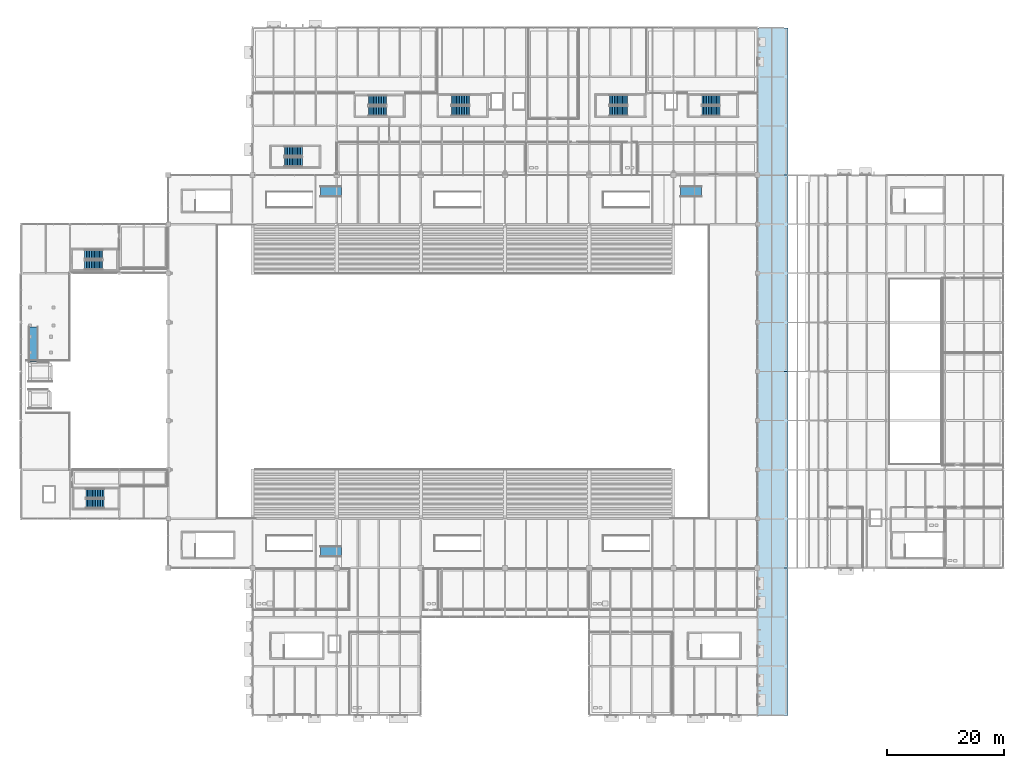
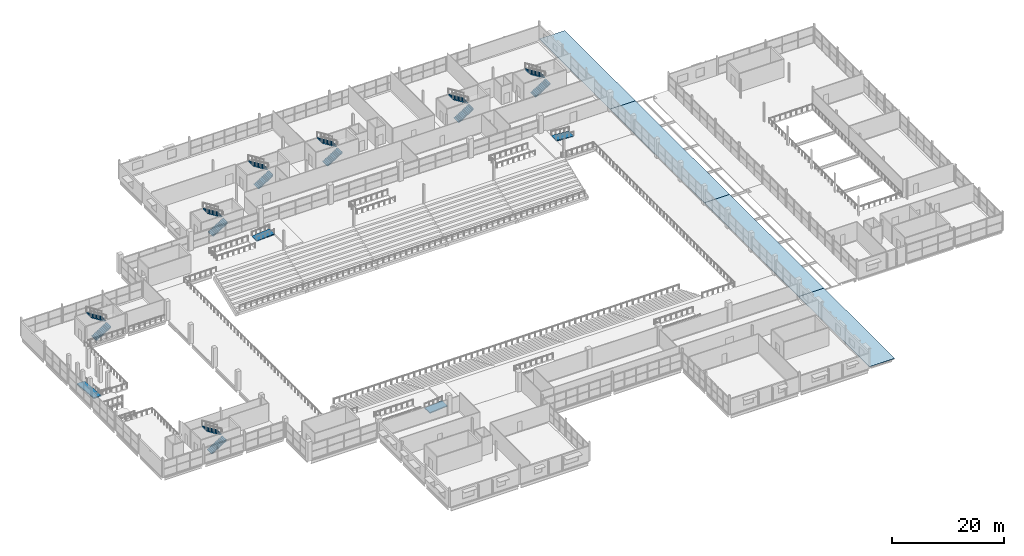
# One storey, part 141 of 161: 14 stair flights, 4 ramp flights, 4 roofs, 11 elements without a shape of their own.
"""IFC4 building model written with IfcOpenShell, lengths in metres."""

from ifc_helpers import new_model, si_unit, direction, frame, origin, place, context, subcontext, project, spatial, polyline, outline, extrude, material, layer, layer_set, type_object, element, aggregate, save


model = new_model("IFC4")

# Units and contexts
model_context = context("Model", 3, precision=1e-05, world=origin(), true_north=direction((0.0, 1.0)))
body_context = subcontext(model_context, "Body", "Model", "MODEL_VIEW")
ifc_project = project(units=[si_unit("LENGTHUNIT", "METRE"), si_unit("AREAUNIT", "SQUARE_METRE"), si_unit("VOLUMEUNIT", "CUBIC_METRE"), si_unit("PLANEANGLEUNIT", "RADIAN"), si_unit("MASSUNIT", "GRAM", prefix="KILO"), si_unit("THERMODYNAMICTEMPERATUREUNIT", "KELVIN")], contexts=[model_context])

# Site, building, storey
site_placement = place(None, origin())
site = spatial("IfcSite", under=ifc_project, at=site_placement, CompositionType="ELEMENT")
building_placement = place(site_placement, origin())
building = spatial("IfcBuilding", under=site, at=building_placement, Name="Nduvali Passage Aquatics Centre", CompositionType="ELEMENT")
storey_placement = place(building_placement, frame((0.0, 0.0, 4.800048828125)))
storey = spatial("IfcBuildingStorey", under=building, at=storey_placement, Name="L01", CompositionType="ELEMENT", Elevation=4.800048828125)

# Stair, stair flights
ifc_material = material(Name="Concrete C40/50", Category="concrete")
stair_type_1 = type_object("IfcStairType", Name="INT-STR-CORE160", PredefinedType="HALF_TURN_STAIR", material=ifc_material)
stair_1_placement = place(storey_placement, origin())
stair_1 = element("IfcStair", 1, at=stair_1_placement, inside=storey, type_object=stair_type_1, Name="L01 ST9", PredefinedType="HALF_TURN_STAIR")
stair_flight_type_1 = type_object("IfcStairFlightType", Name="INT-FLT-160", PredefinedType="STRAIGHT", material=ifc_material)
stair_flight_1_placement = place(storey_placement, frame((11.10009765625, 36.199951171875, 0.0), z_axis=(0.0, 0.0, 1.0), x_axis=(1.0, 0.0, 0.0)))
stair_flight_1 = element("IfcStairFlight", 2, at=stair_flight_1_placement, type_object=stair_flight_type_1, Name="ST9 flight 1", NumberOfRisers=12, NumberOfTreads=11, PredefinedType="STRAIGHT", RiserHeight=0.175, TreadLength=0.28, context=body_context, shape_type="SweptSolid", body=[
    extrude(outline(polyline([(0.0, 0.0), (0.0, 0.175048828125), (0.280029296875, 0.175048828125), (0.280029296875, 0.35009765625), (0.56005859375, 0.35009765625), (0.56005859375, 0.52490234375), (0.840087890625, 0.52490234375), (0.840087890625, 0.699951171875), (1.1201171875, 0.699951171875), (1.1201171875, 0.875), (1.39990234375, 0.875), (1.39990234375, 1.050048828125), (1.679931640625, 1.050048828125), (1.679931640625, 1.22509765625), (1.9599609375, 1.22509765625), (1.9599609375, 1.39990234375), (2.239990234375, 1.39990234375), (2.239990234375, 1.574951171875), (2.52001953125, 1.574951171875), (2.52001953125, 1.75), (2.800048828125, 1.75), (2.800048828125, 1.925048828125), (3.080078125, 1.925048828125), (3.080078125, 2.10009765625), (3.080810546875, 2.10009765625), (3.080810546875, 1.89990234375), (3.080078125, 1.748291015625), (0.28271484375, 0.0), (0.0, 0.0)])), frame((0.0, 0.800048828125, 0.0), z_axis=(0.0, -1.0, 0.0), x_axis=(1.0, 0.0, 0.0)), (0.0, 0.0, 1.0), 1.60009765625),
])
stair_flight_2_placement = place(storey_placement, frame((14.179931640625, 37.949951171875, 2.099853515625), z_axis=(0.0, 0.0, 1.0), x_axis=(-1.0, 0.0, 0.0)))
stair_flight_2 = element("IfcStairFlight", 3, at=stair_flight_2_placement, type_object=stair_flight_type_1, Name="ST9 flight 2", NumberOfRisers=12, NumberOfTreads=11, PredefinedType="STRAIGHT", RiserHeight=0.175, TreadLength=0.28, context=body_context, shape_type="SweptSolid", body=[
    extrude(outline(polyline([(0.0, 0.0), (0.0, 0.175048828125), (0.280029296875, 0.175048828125), (0.280029296875, 0.35009765625), (0.56005859375, 0.35009765625), (0.56005859375, 0.52490234375), (0.840087890625, 0.52490234375), (0.840087890625, 0.699951171875), (1.1201171875, 0.699951171875), (1.1201171875, 0.875), (1.39990234375, 0.875), (1.39990234375, 1.050048828125), (1.679931640625, 1.050048828125), (1.679931640625, 1.22509765625), (1.9599609375, 1.22509765625), (1.9599609375, 1.39990234375), (2.239990234375, 1.39990234375), (2.239990234375, 1.574951171875), (2.52001953125, 1.574951171875), (2.52001953125, 1.75), (2.800048828125, 1.75), (2.800048828125, 1.925048828125), (3.080078125, 1.925048828125), (3.080078125, 2.10009765625), (3.080810546875, 2.10009765625), (3.080810546875, 1.89990234375), (3.080078125, 1.748291015625), (0.28271484375, 0.0), (0.0, 0.0)])), frame((0.0, 0.800048828125, 0.0), z_axis=(0.0, -1.0, 0.0), x_axis=(1.0, 0.0, 0.0)), (0.0, 0.0, 1.0), 1.60009765625),
])
aggregate(stair_1, [stair_flight_1, stair_flight_2])

stair_type_2 = type_object("IfcStairType", Name="INT-STR-CORE164", PredefinedType="HALF_TURN_STAIR", material=ifc_material)
stair_2_placement = place(storey_placement, origin())
stair_2 = element("IfcStair", 4, at=stair_2_placement, inside=storey, type_object=stair_type_2, Name="L01 ST12", PredefinedType="HALF_TURN_STAIR")
stair_flight_type_2 = type_object("IfcStairFlightType", Name="INT-FLT-164", PredefinedType="STRAIGHT", material=ifc_material)
stair_flight_3_placement = place(storey_placement, frame((10.89990234375, 77.02001953125, 0.0), z_axis=(0.0, 0.0, 1.0), x_axis=(1.0, 0.0, 0.0)))
stair_flight_3 = element("IfcStairFlight", 5, at=stair_flight_3_placement, type_object=stair_flight_type_2, Name="ST12 flight 1", NumberOfRisers=12, NumberOfTreads=11, PredefinedType="STRAIGHT", RiserHeight=0.175, TreadLength=0.28, context=body_context, shape_type="SweptSolid", body=[
    extrude(outline(polyline([(0.0, 0.0), (0.0, 0.175048828125), (0.280029296875, 0.175048828125), (0.280029296875, 0.35009765625), (0.56005859375, 0.35009765625), (0.56005859375, 0.52490234375), (0.840087890625, 0.52490234375), (0.840087890625, 0.699951171875), (1.1201171875, 0.699951171875), (1.1201171875, 0.875), (1.39990234375, 0.875), (1.39990234375, 1.050048828125), (1.679931640625, 1.050048828125), (1.679931640625, 1.22509765625), (1.9599609375, 1.22509765625), (1.9599609375, 1.39990234375), (2.239990234375, 1.39990234375), (2.239990234375, 1.574951171875), (2.52001953125, 1.574951171875), (2.52001953125, 1.75), (2.800048828125, 1.75), (2.800048828125, 1.925048828125), (3.080078125, 1.925048828125), (3.080078125, 2.10009765625), (3.080810546875, 2.10009765625), (3.080810546875, 1.89990234375), (3.080078125, 1.748291015625), (0.28271484375, 0.0), (0.0, 0.0)])), frame((0.0, 0.81982421875, 0.0), z_axis=(0.0, -1.0, 0.0), x_axis=(1.0, 0.0, 0.0)), (0.0, 0.0, 1.0), 1.639892578125),
])
stair_flight_4_placement = place(storey_placement, frame((13.97998046875, 78.81005859375, 2.099853515625), z_axis=(0.0, 0.0, 1.0), x_axis=(-1.0, 0.0, 0.0)))
stair_flight_4 = element("IfcStairFlight", 6, at=stair_flight_4_placement, type_object=stair_flight_type_2, Name="ST12 flight 2", NumberOfRisers=12, NumberOfTreads=11, PredefinedType="STRAIGHT", RiserHeight=0.175, TreadLength=0.28, context=body_context, shape_type="SweptSolid", body=[
    extrude(outline(polyline([(0.0, 0.0), (0.0, 0.175048828125), (0.280029296875, 0.175048828125), (0.280029296875, 0.35009765625), (0.56005859375, 0.35009765625), (0.56005859375, 0.52490234375), (0.840087890625, 0.52490234375), (0.840087890625, 0.699951171875), (1.1201171875, 0.699951171875), (1.1201171875, 0.875), (1.39990234375, 0.875), (1.39990234375, 1.050048828125), (1.679931640625, 1.050048828125), (1.679931640625, 1.22509765625), (1.9599609375, 1.22509765625), (1.9599609375, 1.39990234375), (2.239990234375, 1.39990234375), (2.239990234375, 1.574951171875), (2.52001953125, 1.574951171875), (2.52001953125, 1.75), (2.800048828125, 1.75), (2.800048828125, 1.925048828125), (3.080078125, 1.925048828125), (3.080078125, 2.10009765625), (3.080810546875, 2.10009765625), (3.080810546875, 1.89990234375), (3.080078125, 1.748291015625), (0.28271484375, 0.0), (0.0, 0.0)])), frame((0.0, 0.81982421875, 0.0), z_axis=(0.0, -1.0, 0.0), x_axis=(1.0, 0.0, 0.0)), (0.0, 0.0, 1.0), 1.639892578125),
])
aggregate(stair_2, [stair_flight_3, stair_flight_4])

stair_type_3 = type_object("IfcStairType", Name="INT-STR-CORE168", PredefinedType="HALF_TURN_STAIR", material=ifc_material)
stair_3_placement = place(storey_placement, origin())
stair_3 = element("IfcStair", 7, at=stair_3_placement, inside=storey, type_object=stair_type_3, Name="L01 ST3", PredefinedType="HALF_TURN_STAIR")
stair_flight_type_3 = type_object("IfcStairFlightType", Name="INT-FLT-168", PredefinedType="STRAIGHT", material=ifc_material)
stair_flight_5_placement = place(storey_placement, frame((59.449951171875, 103.340087890625, 0.0), z_axis=(0.0, 0.0, 1.0), x_axis=(1.0, 0.0, 0.0)))
stair_flight_5 = element("IfcStairFlight", 8, at=stair_flight_5_placement, type_object=stair_flight_type_3, Name="ST3 flight 1", NumberOfRisers=12, NumberOfTreads=11, PredefinedType="STRAIGHT", RiserHeight=0.175, TreadLength=0.28, context=body_context, shape_type="SweptSolid", body=[
    extrude(outline(polyline([(0.0, 0.0), (0.0, 0.175048828125), (0.280029296875, 0.175048828125), (0.280029296875, 0.35009765625), (0.56005859375, 0.35009765625), (0.56005859375, 0.52490234375), (0.840087890625, 0.52490234375), (0.840087890625, 0.699951171875), (1.1201171875, 0.699951171875), (1.1201171875, 0.875), (1.39990234375, 0.875), (1.39990234375, 1.050048828125), (1.679931640625, 1.050048828125), (1.679931640625, 1.22509765625), (1.9599609375, 1.22509765625), (1.9599609375, 1.39990234375), (2.239990234375, 1.39990234375), (2.239990234375, 1.574951171875), (2.52001953125, 1.574951171875), (2.52001953125, 1.75), (2.800048828125, 1.75), (2.800048828125, 1.925048828125), (3.080078125, 1.925048828125), (3.080078125, 2.10009765625), (3.080810546875, 2.10009765625), (3.080810546875, 1.89990234375), (3.080078125, 1.748291015625), (0.28271484375, 0.0), (0.0, 0.0)])), frame((0.0, 0.83984375, 0.0), z_axis=(0.0, -1.0, 0.0), x_axis=(1.0, 0.0, 0.0)), (0.0, 0.0, 1.0), 1.679931640625),
])
stair_flight_6_placement = place(storey_placement, frame((62.530029296875, 105.169921875, 2.099853515625), z_axis=(0.0, 0.0, 1.0), x_axis=(-1.0, 0.0, 0.0)))
stair_flight_6 = element("IfcStairFlight", 9, at=stair_flight_6_placement, type_object=stair_flight_type_3, Name="ST3 flight 2", NumberOfRisers=12, NumberOfTreads=11, PredefinedType="STRAIGHT", RiserHeight=0.175, TreadLength=0.28, context=body_context, shape_type="SweptSolid", body=[
    extrude(outline(polyline([(0.0, 0.0), (0.0, 0.175048828125), (0.280029296875, 0.175048828125), (0.280029296875, 0.35009765625), (0.56005859375, 0.35009765625), (0.56005859375, 0.52490234375), (0.840087890625, 0.52490234375), (0.840087890625, 0.699951171875), (1.1201171875, 0.699951171875), (1.1201171875, 0.875), (1.39990234375, 0.875), (1.39990234375, 1.050048828125), (1.679931640625, 1.050048828125), (1.679931640625, 1.22509765625), (1.9599609375, 1.22509765625), (1.9599609375, 1.39990234375), (2.239990234375, 1.39990234375), (2.239990234375, 1.574951171875), (2.52001953125, 1.574951171875), (2.52001953125, 1.75), (2.800048828125, 1.75), (2.800048828125, 1.925048828125), (3.080078125, 1.925048828125), (3.080078125, 2.10009765625), (3.080810546875, 2.10009765625), (3.080810546875, 1.89990234375), (3.080078125, 1.748291015625), (0.28271484375, 0.0), (0.0, 0.0)])), frame((0.0, 0.83984375, 0.0), z_axis=(0.0, -1.0, 0.0), x_axis=(1.0, 0.0, 0.0)), (0.0, 0.0, 1.0), 1.679931640625),
])
aggregate(stair_3, [stair_flight_5, stair_flight_6])

stair_4_placement = place(storey_placement, origin())
stair_4 = element("IfcStair", 10, at=stair_4_placement, inside=storey, type_object=stair_type_3, Name="L01 ST4", PredefinedType="HALF_TURN_STAIR")
stair_flight_7_placement = place(storey_placement, frame((45.050048828125, 94.639892578125, 0.0), z_axis=(0.0, 0.0, 1.0), x_axis=(1.0, 0.0, 0.0)))
stair_flight_7 = element("IfcStairFlight", 11, at=stair_flight_7_placement, type_object=stair_flight_type_3, Name="ST4 flight 1", NumberOfRisers=12, NumberOfTreads=11, PredefinedType="STRAIGHT", RiserHeight=0.175, TreadLength=0.28, context=body_context, shape_type="SweptSolid", body=[
    extrude(outline(polyline([(0.0, 0.0), (0.0, 0.175048828125), (0.280029296875, 0.175048828125), (0.280029296875, 0.35009765625), (0.56005859375, 0.35009765625), (0.56005859375, 0.52490234375), (0.840087890625, 0.52490234375), (0.840087890625, 0.699951171875), (1.1201171875, 0.699951171875), (1.1201171875, 0.875), (1.39990234375, 0.875), (1.39990234375, 1.050048828125), (1.679931640625, 1.050048828125), (1.679931640625, 1.22509765625), (1.9599609375, 1.22509765625), (1.9599609375, 1.39990234375), (2.239990234375, 1.39990234375), (2.239990234375, 1.574951171875), (2.52001953125, 1.574951171875), (2.52001953125, 1.75), (2.800048828125, 1.75), (2.800048828125, 1.925048828125), (3.080078125, 1.925048828125), (3.080078125, 2.10009765625), (3.080810546875, 2.10009765625), (3.080810546875, 1.89990234375), (3.080078125, 1.748291015625), (0.28271484375, 0.0), (0.0, 0.0)])), frame((0.0, 0.83984375, 0.0), z_axis=(0.0, -1.0, 0.0), x_axis=(1.0, 0.0, 0.0)), (0.0, 0.0, 1.0), 1.679931640625),
])
stair_flight_8_placement = place(storey_placement, frame((48.1298828125, 96.469970703125, 2.099853515625), z_axis=(0.0, 0.0, 1.0), x_axis=(-1.0, 0.0, 0.0)))
stair_flight_8 = element("IfcStairFlight", 12, at=stair_flight_8_placement, type_object=stair_flight_type_3, Name="ST4 flight 2", NumberOfRisers=12, NumberOfTreads=11, PredefinedType="STRAIGHT", RiserHeight=0.175, TreadLength=0.28, context=body_context, shape_type="SweptSolid", body=[
    extrude(outline(polyline([(0.0, 0.0), (0.0, 0.175048828125), (0.280029296875, 0.175048828125), (0.280029296875, 0.35009765625), (0.56005859375, 0.35009765625), (0.56005859375, 0.52490234375), (0.840087890625, 0.52490234375), (0.840087890625, 0.699951171875), (1.1201171875, 0.699951171875), (1.1201171875, 0.875), (1.39990234375, 0.875), (1.39990234375, 1.050048828125), (1.679931640625, 1.050048828125), (1.679931640625, 1.22509765625), (1.9599609375, 1.22509765625), (1.9599609375, 1.39990234375), (2.239990234375, 1.39990234375), (2.239990234375, 1.574951171875), (2.52001953125, 1.574951171875), (2.52001953125, 1.75), (2.800048828125, 1.75), (2.800048828125, 1.925048828125), (3.080078125, 1.925048828125), (3.080078125, 2.10009765625), (3.080810546875, 2.10009765625), (3.080810546875, 1.89990234375), (3.080078125, 1.748291015625), (0.28271484375, 0.0), (0.0, 0.0)])), frame((0.0, 0.83984375, 0.0), z_axis=(0.0, -1.0, 0.0), x_axis=(1.0, 0.0, 0.0)), (0.0, 0.0, 1.0), 1.679931640625),
])
aggregate(stair_4, [stair_flight_7, stair_flight_8])

stair_type_4 = type_object("IfcStairType", Name="INT-STR-CORE172", PredefinedType="HALF_TURN_STAIR", material=ifc_material)
stair_5_placement = place(storey_placement, origin())
stair_5 = element("IfcStair", 13, at=stair_5_placement, inside=storey, type_object=stair_type_4, Name="L01 ST1", PredefinedType="HALF_TURN_STAIR")
stair_flight_type_4 = type_object("IfcStairFlightType", Name="INT-FLT-172", PredefinedType="STRAIGHT", material=ifc_material)
stair_flight_9_placement = place(storey_placement, frame((73.64990234375, 103.360107421875, 0.0), z_axis=(0.0, 0.0, 1.0), x_axis=(1.0, 0.0, 0.0)))
stair_flight_9 = element("IfcStairFlight", 14, at=stair_flight_9_placement, type_object=stair_flight_type_4, Name="ST1 flight 1", NumberOfRisers=12, NumberOfTreads=11, PredefinedType="STRAIGHT", RiserHeight=0.175, TreadLength=0.28, context=body_context, shape_type="SweptSolid", body=[
    extrude(outline(polyline([(0.0, 0.0), (0.0, 0.175048828125), (0.280029296875, 0.175048828125), (0.280029296875, 0.35009765625), (0.56005859375, 0.35009765625), (0.56005859375, 0.52490234375), (0.840087890625, 0.52490234375), (0.840087890625, 0.699951171875), (1.1201171875, 0.699951171875), (1.1201171875, 0.875), (1.39990234375, 0.875), (1.39990234375, 1.050048828125), (1.679931640625, 1.050048828125), (1.679931640625, 1.22509765625), (1.9599609375, 1.22509765625), (1.9599609375, 1.39990234375), (2.239990234375, 1.39990234375), (2.239990234375, 1.574951171875), (2.52001953125, 1.574951171875), (2.52001953125, 1.75), (2.800048828125, 1.75), (2.800048828125, 1.925048828125), (3.080078125, 1.925048828125), (3.080078125, 2.10009765625), (3.080810546875, 2.10009765625), (3.080810546875, 1.89990234375), (3.080078125, 1.748291015625), (0.28271484375, 0.0), (0.0, 0.0)])), frame((0.0, 0.85986328125, 0.0), z_axis=(0.0, -1.0, 0.0), x_axis=(1.0, 0.0, 0.0)), (0.0, 0.0, 1.0), 1.719970703125),
])
stair_flight_10_placement = place(storey_placement, frame((76.72998046875, 105.22998046875, 2.099853515625), z_axis=(0.0, 0.0, 1.0), x_axis=(-1.0, 0.0, 0.0)))
stair_flight_10 = element("IfcStairFlight", 15, at=stair_flight_10_placement, type_object=stair_flight_type_4, Name="ST1 flight 2", NumberOfRisers=12, NumberOfTreads=11, PredefinedType="STRAIGHT", RiserHeight=0.175, TreadLength=0.28, context=body_context, shape_type="SweptSolid", body=[
    extrude(outline(polyline([(0.0, 0.0), (0.0, 0.175048828125), (0.280029296875, 0.175048828125), (0.280029296875, 0.35009765625), (0.56005859375, 0.35009765625), (0.56005859375, 0.52490234375), (0.840087890625, 0.52490234375), (0.840087890625, 0.699951171875), (1.1201171875, 0.699951171875), (1.1201171875, 0.875), (1.39990234375, 0.875), (1.39990234375, 1.050048828125), (1.679931640625, 1.050048828125), (1.679931640625, 1.22509765625), (1.9599609375, 1.22509765625), (1.9599609375, 1.39990234375), (2.239990234375, 1.39990234375), (2.239990234375, 1.574951171875), (2.52001953125, 1.574951171875), (2.52001953125, 1.75), (2.800048828125, 1.75), (2.800048828125, 1.925048828125), (3.080078125, 1.925048828125), (3.080078125, 2.10009765625), (3.080810546875, 2.10009765625), (3.080810546875, 1.89990234375), (3.080078125, 1.748291015625), (0.28271484375, 0.0), (0.0, 0.0)])), frame((0.0, 0.85986328125, 0.0), z_axis=(0.0, -1.0, 0.0), x_axis=(1.0, 0.0, 0.0)), (0.0, 0.0, 1.0), 1.719970703125),
])
aggregate(stair_5, [stair_flight_9, stair_flight_10])

stair_6_placement = place(storey_placement, origin())
stair_6 = element("IfcStair", 16, at=stair_6_placement, inside=storey, type_object=stair_type_4, Name="L01 ST2", PredefinedType="HALF_TURN_STAIR")
stair_flight_11_placement = place(storey_placement, frame((116.449951171875, 103.360107421875, 0.0), z_axis=(0.0, 0.0, 1.0), x_axis=(1.0, 0.0, 0.0)))
stair_flight_11 = element("IfcStairFlight", 17, at=stair_flight_11_placement, type_object=stair_flight_type_4, Name="ST2 flight 1", NumberOfRisers=12, NumberOfTreads=11, PredefinedType="STRAIGHT", RiserHeight=0.175, TreadLength=0.28, context=body_context, shape_type="SweptSolid", body=[
    extrude(outline(polyline([(0.0, 0.0), (0.0, 0.175048828125), (0.280029296875, 0.175048828125), (0.280029296875, 0.35009765625), (0.56005859375, 0.35009765625), (0.56005859375, 0.52490234375), (0.840087890625, 0.52490234375), (0.840087890625, 0.699951171875), (1.1201171875, 0.699951171875), (1.1201171875, 0.875), (1.39990234375, 0.875), (1.39990234375, 1.050048828125), (1.679931640625, 1.050048828125), (1.679931640625, 1.22509765625), (1.9599609375, 1.22509765625), (1.9599609375, 1.39990234375), (2.239990234375, 1.39990234375), (2.239990234375, 1.574951171875), (2.52001953125, 1.574951171875), (2.52001953125, 1.75), (2.800048828125, 1.75), (2.800048828125, 1.925048828125), (3.080078125, 1.925048828125), (3.080078125, 2.10009765625), (3.080810546875, 2.10009765625), (3.080810546875, 1.89990234375), (3.080078125, 1.748291015625), (0.28271484375, 0.0), (0.0, 0.0)])), frame((0.0, 0.85986328125, 0.0), z_axis=(0.0, -1.0, 0.0), x_axis=(1.0, 0.0, 0.0)), (0.0, 0.0, 1.0), 1.719970703125),
])
stair_flight_12_placement = place(storey_placement, frame((119.530029296875, 105.22998046875, 2.099853515625), z_axis=(0.0, 0.0, 1.0), x_axis=(-1.0, 0.0, 0.0)))
stair_flight_12 = element("IfcStairFlight", 18, at=stair_flight_12_placement, type_object=stair_flight_type_4, Name="ST2 flight 2", NumberOfRisers=12, NumberOfTreads=11, PredefinedType="STRAIGHT", RiserHeight=0.175, TreadLength=0.28, context=body_context, shape_type="SweptSolid", body=[
    extrude(outline(polyline([(0.0, 0.0), (0.0, 0.175048828125), (0.280029296875, 0.175048828125), (0.280029296875, 0.35009765625), (0.56005859375, 0.35009765625), (0.56005859375, 0.52490234375), (0.840087890625, 0.52490234375), (0.840087890625, 0.699951171875), (1.1201171875, 0.699951171875), (1.1201171875, 0.875), (1.39990234375, 0.875), (1.39990234375, 1.050048828125), (1.679931640625, 1.050048828125), (1.679931640625, 1.22509765625), (1.9599609375, 1.22509765625), (1.9599609375, 1.39990234375), (2.239990234375, 1.39990234375), (2.239990234375, 1.574951171875), (2.52001953125, 1.574951171875), (2.52001953125, 1.75), (2.800048828125, 1.75), (2.800048828125, 1.925048828125), (3.080078125, 1.925048828125), (3.080078125, 2.10009765625), (3.080810546875, 2.10009765625), (3.080810546875, 1.89990234375), (3.080078125, 1.748291015625), (0.28271484375, 0.0), (0.0, 0.0)])), frame((0.0, 0.85986328125, 0.0), z_axis=(0.0, -1.0, 0.0), x_axis=(1.0, 0.0, 0.0)), (0.0, 0.0, 1.0), 1.719970703125),
])
aggregate(stair_6, [stair_flight_11, stair_flight_12])

stair_7_placement = place(storey_placement, origin())
stair_7 = element("IfcStair", 19, at=stair_7_placement, inside=storey, type_object=stair_type_4, Name="L01 ST11", PredefinedType="HALF_TURN_STAIR")
stair_flight_13_placement = place(storey_placement, frame((100.64990234375, 103.360107421875, 0.0), z_axis=(0.0, 0.0, 1.0), x_axis=(1.0, 0.0, 0.0)))
stair_flight_13 = element("IfcStairFlight", 20, at=stair_flight_13_placement, type_object=stair_flight_type_4, Name="ST11 flight 1", NumberOfRisers=12, NumberOfTreads=11, PredefinedType="STRAIGHT", RiserHeight=0.175, TreadLength=0.28, context=body_context, shape_type="SweptSolid", body=[
    extrude(outline(polyline([(0.0, 0.0), (0.0, 0.175048828125), (0.280029296875, 0.175048828125), (0.280029296875, 0.35009765625), (0.56005859375, 0.35009765625), (0.56005859375, 0.52490234375), (0.840087890625, 0.52490234375), (0.840087890625, 0.699951171875), (1.1201171875, 0.699951171875), (1.1201171875, 0.875), (1.39990234375, 0.875), (1.39990234375, 1.050048828125), (1.679931640625, 1.050048828125), (1.679931640625, 1.22509765625), (1.9599609375, 1.22509765625), (1.9599609375, 1.39990234375), (2.239990234375, 1.39990234375), (2.239990234375, 1.574951171875), (2.52001953125, 1.574951171875), (2.52001953125, 1.75), (2.800048828125, 1.75), (2.800048828125, 1.925048828125), (3.080078125, 1.925048828125), (3.080078125, 2.10009765625), (3.080810546875, 2.10009765625), (3.080810546875, 1.89990234375), (3.080078125, 1.748291015625), (0.28271484375, 0.0), (0.0, 0.0)])), frame((0.0, 0.85986328125, 0.0), z_axis=(0.0, -1.0, 0.0), x_axis=(1.0, 0.0, 0.0)), (0.0, 0.0, 1.0), 1.719970703125),
])
stair_flight_14_placement = place(storey_placement, frame((103.72998046875, 105.22998046875, 2.099853515625), z_axis=(0.0, 0.0, 1.0), x_axis=(-1.0, 0.0, 0.0)))
stair_flight_14 = element("IfcStairFlight", 21, at=stair_flight_14_placement, type_object=stair_flight_type_4, Name="ST11 flight 2", NumberOfRisers=12, NumberOfTreads=11, PredefinedType="STRAIGHT", RiserHeight=0.175, TreadLength=0.28, context=body_context, shape_type="SweptSolid", body=[
    extrude(outline(polyline([(0.0, 0.0), (0.0, 0.175048828125), (0.280029296875, 0.175048828125), (0.280029296875, 0.35009765625), (0.56005859375, 0.35009765625), (0.56005859375, 0.52490234375), (0.840087890625, 0.52490234375), (0.840087890625, 0.699951171875), (1.1201171875, 0.699951171875), (1.1201171875, 0.875), (1.39990234375, 0.875), (1.39990234375, 1.050048828125), (1.679931640625, 1.050048828125), (1.679931640625, 1.22509765625), (1.9599609375, 1.22509765625), (1.9599609375, 1.39990234375), (2.239990234375, 1.39990234375), (2.239990234375, 1.574951171875), (2.52001953125, 1.574951171875), (2.52001953125, 1.75), (2.800048828125, 1.75), (2.800048828125, 1.925048828125), (3.080078125, 1.925048828125), (3.080078125, 2.10009765625), (3.080810546875, 2.10009765625), (3.080810546875, 1.89990234375), (3.080078125, 1.748291015625), (0.28271484375, 0.0), (0.0, 0.0)])), frame((0.0, 0.85986328125, 0.0), z_axis=(0.0, -1.0, 0.0), x_axis=(1.0, 0.0, 0.0)), (0.0, 0.0, 1.0), 1.719970703125),
])
aggregate(stair_7, [stair_flight_13, stair_flight_14])

# Ramp, ramp flight
ramp_type = type_object("IfcRampType", Name="ARCH-RMP-PED", PredefinedType="STRAIGHT_RUN_RAMP", material=ifc_material)
ramp_1_placement = place(storey_placement, origin())
ramp_1 = element("IfcRamp", 22, at=ramp_1_placement, inside=storey, type_object=ramp_type, Name="South Stand Wheelchair Viewing Platform Ramp PR3", PredefinedType="STRAIGHT_RUN_RAMP")
ifc_layer_1 = layer(ifc_material, 0.219970703125, Name="Concrete C40/50")
ifc_layer_set_1 = layer_set([ifc_layer_1], Name="Concrete C40/50")
ramp_flight_type = type_object("IfcRampFlightType", Name="ARCH-RMF-PED", PredefinedType="STRAIGHT", material=ifc_layer_set_1)
ramp_flight_1_placement = place(storey_placement, frame((51.199951171875, 28.0, 0.0), z_axis=(0.0, 0.0, 1.0), x_axis=(1.0, 0.0, 0.0)))
ramp_flight_1 = element("IfcRampFlight", 23, at=ramp_flight_1_placement, type_object=ramp_flight_type, Name="South Stand Wheelchair Viewing Platform Ramp PR3 Flight", PredefinedType="STRAIGHT", context=body_context, shape_type="SweptSolid", body=[
    extrude(outline(polyline([(0.0, -0.219970703125), (3.60009765625, 0.080078125), (3.60009765625, 0.300048828125), (0.0, 0.0), (0.0, -0.219970703125)])), frame((0.0, 0.89990234375, 0.0), z_axis=(0.0, -1.0, 0.0), x_axis=(1.0, 0.0, 0.0)), (0.0, 0.0, 1.0), 1.800048828125),
])
aggregate(ramp_1, [ramp_flight_1])

ramp_2_placement = place(storey_placement, origin())
ramp_2 = element("IfcRamp", 24, at=ramp_2_placement, inside=storey, type_object=ramp_type, Name="North Stand West Wheelchair Viewing Platform Ramp PR4", PredefinedType="STRAIGHT_RUN_RAMP")
ramp_flight_2_placement = place(storey_placement, frame((51.199951171875, 89.60009765625, 0.0), z_axis=(0.0, 0.0, 1.0), x_axis=(1.0, 0.0, 0.0)))
ramp_flight_2 = element("IfcRampFlight", 25, at=ramp_flight_2_placement, type_object=ramp_flight_type, Name="North Stand West Wheelchair Viewing Platform Ramp PR4 Flight", PredefinedType="STRAIGHT", context=body_context, shape_type="SweptSolid", body=[
    extrude(outline(polyline([(0.0, -0.219970703125), (3.60009765625, 0.080078125), (3.60009765625, 0.300048828125), (0.0, 0.0), (0.0, -0.219970703125)])), frame((0.0, 0.89990234375, 0.0), z_axis=(0.0, -1.0, 0.0), x_axis=(1.0, 0.0, 0.0)), (0.0, 0.0, 1.0), 1.800048828125),
])
aggregate(ramp_2, [ramp_flight_2])

ramp_3_placement = place(storey_placement, origin())
ramp_3 = element("IfcRamp", 26, at=ramp_3_placement, inside=storey, type_object=ramp_type, Name="North Stand East Wheelchair Viewing Platform Ramp PR5", PredefinedType="STRAIGHT_RUN_RAMP")
ramp_flight_3_placement = place(storey_placement, frame((116.39990234375, 89.60009765625, 0.0), z_axis=(0.0, 0.0, 1.0), x_axis=(-1.0, 0.0, 0.0)))
ramp_flight_3 = element("IfcRampFlight", 27, at=ramp_flight_3_placement, type_object=ramp_flight_type, Name="North Stand East Wheelchair Viewing Platform Ramp PR5 Flight", PredefinedType="STRAIGHT", context=body_context, shape_type="SweptSolid", body=[
    extrude(outline(polyline([(0.0, -0.219970703125), (3.599853515625, 0.080078125), (3.599853515625, 0.300048828125), (0.0, 0.0), (0.0, -0.219970703125)])), frame((0.0, 0.89990234375, 0.0), z_axis=(0.0, -1.0, 0.0), x_axis=(1.0, 0.0, 0.0)), (0.0, 0.0, 1.0), 1.800048828125),
])
aggregate(ramp_3, [ramp_flight_3])

ramp_4_placement = place(storey_placement, origin())
ramp_4 = element("IfcRamp", 28, at=ramp_4_placement, inside=storey, type_object=ramp_type, Name="Diving 5m Platform Plinth Accessible Ramp PR7", PredefinedType="STRAIGHT_RUN_RAMP")
ramp_flight_4_placement = place(storey_placement, frame((2.10009765625, 66.39990234375, 0.0), z_axis=(0.0, 0.0, 1.0), x_axis=(0.0, -1.0, 0.0)))
ramp_flight_4 = element("IfcRampFlight", 29, at=ramp_flight_4_placement, type_object=ramp_flight_type, Name="Diving 5m Platform Plinth Accessible Ramp PR7 Flight", PredefinedType="STRAIGHT", context=body_context, shape_type="SweptSolid", body=[
    extrude(outline(polyline([(0.0, -0.219970703125), (6.0, 0.280029296875), (6.0, 0.5), (0.0, 0.0), (0.0, -0.219970703125)])), frame((0.0, 0.800048828125, 0.0), z_axis=(0.0, -1.0, 0.0), x_axis=(1.0, 0.0, 0.0)), (0.0, 0.0, 1.0), 1.60009765625),
])
aggregate(ramp_4, [ramp_flight_4])

# Roofs
ifc_layer_2 = layer(ifc_material, 0.219970703125, Name="Concrete C40/50")
ifc_layer_set_2 = layer_set([ifc_layer_2], Name="Concrete C40/50")
roof_type = type_object("IfcRoofType", Name="ARCH-ROOF-FLAT", PredefinedType="FLAT_ROOF", material=ifc_layer_set_2)
roof_1_placement = place(storey_placement, frame((0.0, 0.0, 0.18994140625)))
element("IfcRoof", 30, at=roof_1_placement, inside=storey, type_object=roof_type, Name="L01 Monsoon Passage Colonnade Canopy Roof 1", PredefinedType="FLAT_ROOF", context=body_context, shape_type="SweptSolid", body=[
    extrude(outline(polyline([(126.0, 0.0), (131.199951171875, 0.0), (131.199951171875, 25.199951171875), (126.0, 25.199951171875), (126.0, 0.0)])), origin(), (0.0, 0.0, 1.0), 0.06005859375),
])
roof_2_placement = place(storey_placement, frame((0.0, 0.0, 0.18994140625)))
element("IfcRoof", 31, at=roof_2_placement, inside=storey, type_object=roof_type, Name="L01 Monsoon Passage Colonnade Canopy Roof 2", PredefinedType="FLAT_ROOF", context=body_context, shape_type="SweptSolid", body=[
    extrude(outline(polyline([(126.0, 25.199951171875), (131.199951171875, 25.199951171875), (131.199951171875, 58.800048828125), (126.0, 58.800048828125), (126.0, 25.199951171875)])), origin(), (0.0, 0.0, 1.0), 0.06005859375),
])
roof_3_placement = place(storey_placement, frame((0.0, 0.0, 0.18994140625)))
element("IfcRoof", 32, at=roof_3_placement, inside=storey, type_object=roof_type, Name="L01 Monsoon Passage Colonnade Canopy Roof 3", PredefinedType="FLAT_ROOF", context=body_context, shape_type="SweptSolid", body=[
    extrude(outline(polyline([(126.0, 58.800048828125), (131.199951171875, 58.800048828125), (131.199951171875, 92.39990234375), (126.0, 92.39990234375), (126.0, 58.800048828125)])), origin(), (0.0, 0.0, 1.0), 0.06005859375),
])
roof_4_placement = place(storey_placement, frame((0.0, 0.0, 0.18994140625)))
element("IfcRoof", 33, at=roof_4_placement, inside=storey, type_object=roof_type, Name="L01 Monsoon Passage Colonnade Canopy Roof 4", PredefinedType="FLAT_ROOF", context=body_context, shape_type="SweptSolid", body=[
    extrude(outline(polyline([(126.0, 92.39990234375), (131.199951171875, 92.39990234375), (131.199951171875, 117.60009765625), (126.0, 117.60009765625), (126.0, 92.39990234375)])), origin(), (0.0, 0.0, 1.0), 0.06005859375),
])

save(model, "model.ifc")
